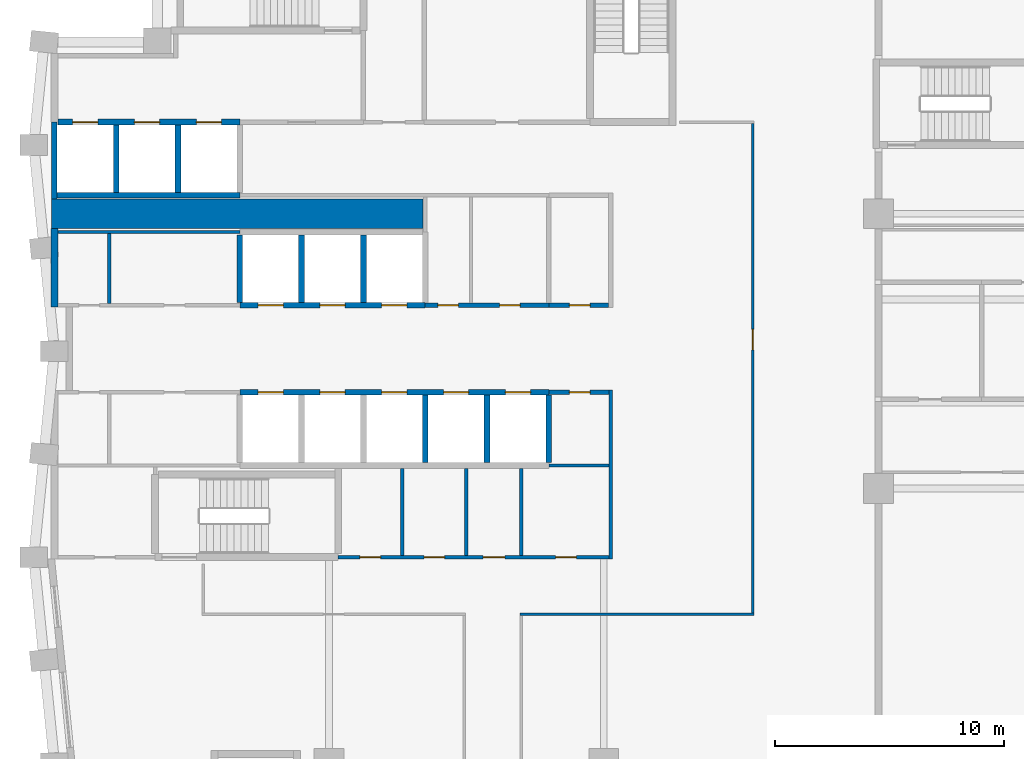
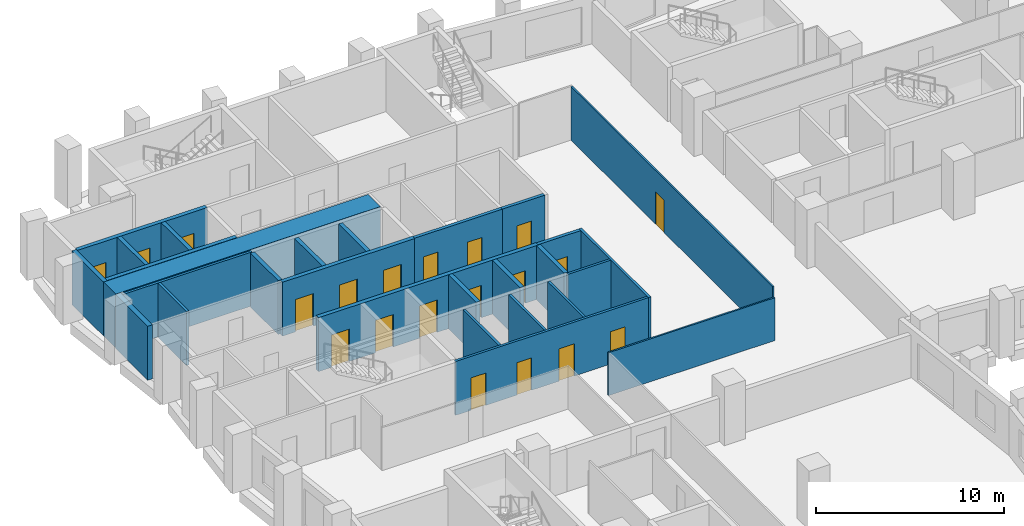
# One storey, part 5 of 11: 28 walls, 20 doors, 20 openings.
"""IFC4 building model written with IfcOpenShell, lengths in metres."""

from ifc_helpers import new_model, si_unit, direction, frame, frame_2d, origin, place, context, subcontext, project, spatial, rectangle, extrude, material, layer, layer_set, type_object, element, fill, save


model = new_model("IFC4")

# Units and contexts
model_context = context("Model", 3, precision=1e-05, world=origin(), true_north=direction((0.0, 1.0)))
body_context = subcontext(model_context, "Body", "Model", "MODEL_VIEW")
ifc_project = project(units=[si_unit("LENGTHUNIT", "METRE"), si_unit("AREAUNIT", "SQUARE_METRE"), si_unit("VOLUMEUNIT", "CUBIC_METRE"), si_unit("PLANEANGLEUNIT", "RADIAN"), si_unit("MASSUNIT", "GRAM", prefix="KILO")], contexts=[model_context])

# Site, building, storey
site_placement = place(None, origin())
site = spatial("IfcSite", under=ifc_project, at=site_placement, CompositionType="ELEMENT")
building_placement = place(site_placement, origin())
building = spatial("IfcBuilding", under=site, at=building_placement, Name="Brondeck Convention Tower", CompositionType="ELEMENT")
storey_placement = place(building_placement, frame((0.0, 0.0, 111.300048828125)))
storey = spatial("IfcBuildingStorey", under=building, at=storey_placement, Name="L26", CompositionType="ELEMENT", Elevation=111.300048828125)

# Wall, openings, doors
ifc_material_1 = material(Name="Concrete C70/85", Category="concrete")
ifc_layer_1 = layer(ifc_material_1, 0.14990234375)
ifc_layer_set_1 = layer_set([ifc_layer_1], Name="Core beam-seat wall 150 Concrete C70/85")
wall_type_1 = type_object("IfcWallType", Name="Core beam-seat wall 150 Concrete C70/85", PredefinedType="SHEAR", material=ifc_layer_set_1)
wall_1_placement = place(storey_placement, frame((12.39990234375, 36.0, 0.0), z_axis=(0.0, 0.0, 1.0), x_axis=(1.0, 0.0, 0.0)))
wall_1 = element("IfcWall", 1, at=wall_1_placement, inside=storey, type_object=wall_type_1, Name="L26 core wall", PredefinedType="SHEAR", context=body_context, shape_type="SweptSolid", body=[
    extrude(rectangle(XDim=11.8251953125, YDim=0.14990234375, at=frame_2d((5.91259765625, 0.0))), origin(), (0.0, 0.0, 1.0), 3.5),
])
opening_1_placement = place(wall_1_placement, frame((0.949951171875, 0.0, 0.0)))
opening_1 = element("IfcOpeningElement", 2, at=opening_1_placement, cuts=wall_1, Name="Opening C16-03", PredefinedType="OPENING", context=body_context, shape_type="SweptSolid", body=[
    extrude(rectangle(XDim=0.89990234375, YDim=2.10009765625, at=frame_2d((0.449951171875, 1.050048828125))), frame((0.0, 0.0849609375, 0.0), z_axis=(0.0, -1.0, 0.0), x_axis=(1.0, 0.0, 0.0)), (0.0, 0.0, 1.0), 0.169921875),
])
opening_2_placement = place(wall_1_placement, frame((3.75, 0.0, 0.0)))
opening_2 = element("IfcOpeningElement", 3, at=opening_2_placement, cuts=wall_1, Name="Opening C16-04", PredefinedType="OPENING", context=body_context, shape_type="SweptSolid", body=[
    extrude(rectangle(XDim=0.89990234375, YDim=2.10009765625, at=frame_2d((0.449951171875, 1.050048828125))), frame((0.0, 0.0849609375, 0.0), z_axis=(0.0, -1.0, 0.0), x_axis=(1.0, 0.0, 0.0)), (0.0, 0.0, 1.0), 0.169921875),
])
opening_3_placement = place(wall_1_placement, frame((6.324951171875, 0.0, 0.0)))
opening_3 = element("IfcOpeningElement", 4, at=opening_3_placement, cuts=wall_1, Name="Opening C16-05", PredefinedType="OPENING", context=body_context, shape_type="SweptSolid", body=[
    extrude(rectangle(XDim=0.949951171875, YDim=2.10009765625, at=frame_2d((0.47509765625, 1.050048828125))), frame((0.0, 0.0849609375, 0.0), z_axis=(0.0, -1.0, 0.0), x_axis=(1.0, 0.0, 0.0)), (0.0, 0.0, 1.0), 0.169921875),
])
opening_4_placement = place(wall_1_placement, frame((9.5, 0.0, 0.0)))
opening_4 = element("IfcOpeningElement", 5, at=opening_4_placement, cuts=wall_1, Name="Opening C16-06", PredefinedType="OPENING", context=body_context, shape_type="SweptSolid", body=[
    extrude(rectangle(XDim=0.89990234375, YDim=2.10009765625, at=frame_2d((0.449951171875, 1.050048828125))), frame((0.0, 0.0849609375, 0.0), z_axis=(0.0, -1.0, 0.0), x_axis=(1.0, 0.0, 0.0)), (0.0, 0.0, 1.0), 0.169921875),
])
ifc_material_2 = material(Name="Steel fire door", Category="steel")
door_type_1 = type_object("IfcDoorType", Name="Room door 900x2100 EI 60", OperationType="NOTDEFINED", PredefinedType="DOOR", material=ifc_material_2)
door_1_placement = place(opening_1_placement, origin())
door_1 = element("IfcDoor", 6, at=door_1_placement, inside=storey, type_object=door_type_1, Name="L26 Room door FR-1", OperationType="SINGLE_SWING_RIGHT", OverallHeight=2.10009765625, OverallWidth=0.89990234375, PredefinedType="DOOR", context=body_context, shape_type="SweptSolid", body=[
    extrude(rectangle(XDim=0.89990234375, YDim=2.10009765625, at=frame_2d((0.449951171875, 1.050048828125))), frame((0.0, 0.02490234375, 0.0), z_axis=(0.0, -1.0, 0.0), x_axis=(1.0, 0.0, 0.0)), (0.0, 0.0, 1.0), 0.050048828125),
])
fill(opening_1, door_1)
door_2_placement = place(opening_2_placement, origin())
door_2 = element("IfcDoor", 7, at=door_2_placement, inside=storey, type_object=door_type_1, Name="L26 Room door FR-2", OperationType="SINGLE_SWING_LEFT", OverallHeight=2.10009765625, OverallWidth=0.89990234375, PredefinedType="DOOR", context=body_context, shape_type="SweptSolid", body=[
    extrude(rectangle(XDim=0.89990234375, YDim=2.10009765625, at=frame_2d((0.449951171875, 1.050048828125))), frame((0.0, 0.02490234375, 0.0), z_axis=(0.0, -1.0, 0.0), x_axis=(1.0, 0.0, 0.0)), (0.0, 0.0, 1.0), 0.050048828125),
])
fill(opening_2, door_2)
door_3_placement = place(opening_4_placement, origin())
door_3 = element("IfcDoor", 8, at=door_3_placement, inside=storey, type_object=door_type_1, Name="L26 Room door FR-4", OperationType="SINGLE_SWING_LEFT", OverallHeight=2.10009765625, OverallWidth=0.89990234375, PredefinedType="DOOR", context=body_context, shape_type="SweptSolid", body=[
    extrude(rectangle(XDim=0.89990234375, YDim=2.10009765625, at=frame_2d((0.449951171875, 1.050048828125))), frame((0.0, 0.02490234375, 0.0), z_axis=(0.0, -1.0, 0.0), x_axis=(1.0, 0.0, 0.0)), (0.0, 0.0, 1.0), 0.050048828125),
])
fill(opening_4, door_3)
door_type_2 = type_object("IfcDoorType", Name="Room door 950x2100 EI 60", OperationType="NOTDEFINED", PredefinedType="DOOR", material=ifc_material_2)
door_4_placement = place(opening_3_placement, origin())
door_4 = element("IfcDoor", 9, at=door_4_placement, inside=storey, type_object=door_type_2, Name="L26 Room door FR-3", OperationType="SINGLE_SWING_RIGHT", OverallHeight=2.10009765625, OverallWidth=0.949951171875, PredefinedType="DOOR", context=body_context, shape_type="SweptSolid", body=[
    extrude(rectangle(XDim=0.949951171875, YDim=2.10009765625, at=frame_2d((0.47509765625, 1.050048828125))), frame((0.0, 0.02490234375, 0.0), z_axis=(0.0, -1.0, 0.0), x_axis=(1.0, 0.0, 0.0)), (0.0, 0.0, 1.0), 0.050048828125),
])
fill(opening_3, door_4)

# Walls
ifc_layer_2 = layer(ifc_material_1, 0.300048828125)
ifc_layer_set_2 = layer_set([ifc_layer_2], Name="Core outer wall 300 Concrete C70/85")
wall_type_2 = type_object("IfcWallType", Name="Core outer wall 300 Concrete C70/85", PredefinedType="SHEAR", material=ifc_layer_set_2)
wall_2_placement = place(storey_placement, frame((0.0, 46.925048828125, 0.0), z_axis=(0.0, 0.0, 1.0), x_axis=(0.0, 1.0, 0.0)))
element("IfcWall", 10, at=wall_2_placement, inside=storey, type_object=wall_type_2, Name="L26 core wall", PredefinedType="SHEAR", context=body_context, shape_type="SweptSolid", body=[
    extrude(rectangle(XDim=3.425048828125, YDim=0.300048828125, at=frame_2d((1.71240234375, 0.0))), origin(), (0.0, 0.0, 1.0), 3.5),
])
ifc_material_3 = material(Name="Fire-rated gypsum board partition")
ifc_layer_3 = layer(ifc_material_3, 0.14990234375)
ifc_layer_set_3 = layer_set([ifc_layer_3], Name="Core partition 150 EI 60")
wall_type_3 = type_object("IfcWallType", Name="Core partition 150 EI 60", PredefinedType="PARTITIONING", material=ifc_layer_set_3)
wall_3_placement = place(storey_placement, frame((21.60009765625, 40.0, 0.0), z_axis=(0.0, 0.0, 1.0), x_axis=(1.0, 0.0, 0.0)))
element("IfcWall", 11, at=wall_3_placement, inside=storey, type_object=wall_type_3, Name="L26 core wall", PredefinedType="PARTITIONING", context=body_context, shape_type="SweptSolid", body=[
    extrude(rectangle(XDim=2.625, YDim=0.14990234375, at=frame_2d((1.3125, 0.0))), origin(), (0.0, 0.0, 1.0), 3.5),
])
wall_4_placement = place(storey_placement, frame((0.14990234375, 50.199951171875, 0.0), z_axis=(0.0, 0.0, 1.0), x_axis=(1.0, 0.0, 0.0)))
element("IfcWall", 12, at=wall_4_placement, inside=storey, type_object=wall_type_3, Name="L26 core wall", PredefinedType="PARTITIONING", context=body_context, shape_type="SweptSolid", body=[
    extrude(rectangle(XDim=7.9501953125, YDim=0.14990234375, at=frame_2d((3.97509765625, 0.0))), origin(), (0.0, 0.0, 1.0), 3.5),
])
wall_5_placement = place(storey_placement, frame((2.39990234375, 47.074951171875, 0.0), z_axis=(0.0, 0.0, 1.0), x_axis=(0.0, 1.0, 0.0)))
element("IfcWall", 13, at=wall_5_placement, inside=storey, type_object=wall_type_3, Name="L26 core wall", PredefinedType="PARTITIONING", context=body_context, shape_type="SweptSolid", body=[
    extrude(rectangle(XDim=3.050048828125, YDim=0.14990234375, at=frame_2d((1.52490234375, 0.0))), origin(), (0.0, 0.0, 1.0), 3.5),
])
for number, where, z_axis, x_axis, name in (
    (14, (15.199951171875, 36.074951171875, 0.0), (0.0, 0.0, 1.0), (0.0, 1.0, 0.0), "L26 core wall"),
    (15, (18.0, 36.074951171875, 0.0), (0.0, 0.0, 1.0), (0.0, 1.0, 0.0), "L26 core wall"),
    (16, (20.39990234375, 36.074951171875, 0.0), (0.0, 0.0, 1.0), (0.0, 1.0, 0.0), "L26 core wall"),
):
    element("IfcWall", number, at=place(storey_placement, frame(where, z_axis=z_axis, x_axis=x_axis)), inside=storey, type_object=wall_type_3, Name=name, PredefinedType="PARTITIONING", context=body_context, shape_type="SweptSolid", body=[
        extrude(rectangle(XDim=3.800048828125, YDim=0.14990234375, at=frame_2d((1.89990234375, 0.0))), origin(), (0.0, 0.0, 1.0), 3.5),
    ])
wall_6_placement = place(storey_placement, frame((24.300048828125, 35.925048828125, 0.0), z_axis=(0.0, 0.0, 1.0), x_axis=(0.0, 1.0, 0.0)))
element("IfcWall", 17, at=wall_6_placement, inside=storey, type_object=wall_type_3, Name="L26 core wall", PredefinedType="PARTITIONING", context=body_context, shape_type="SweptSolid", body=[
    extrude(rectangle(XDim=7.375, YDim=0.14990234375, at=frame_2d((3.6875, 0.0))), origin(), (0.0, 0.0, 1.0), 3.5),
])
ifc_layer_4 = layer(ifc_material_1, 1.300048828125)
ifc_layer_set_4 = layer_set([ifc_layer_4], Name="Core shear wall 1300 Concrete C70/85")
wall_type_4 = type_object("IfcWallType", Name="Core shear wall 1300 Concrete C70/85", PredefinedType="SHEAR", material=ifc_layer_set_4)
wall_7_placement = place(storey_placement, frame((-0.125, 51.0, 0.0), z_axis=(0.0, 0.0, 1.0), x_axis=(1.0, 0.0, 0.0)))
element("IfcWall", 18, at=wall_7_placement, inside=storey, type_object=wall_type_4, Name="L26 core wall", PredefinedType="SHEAR", context=body_context, shape_type="SweptSolid", body=[
    extrude(rectangle(XDim=16.22509765625, YDim=1.300048828125, at=frame_2d((8.112548828125, 0.0))), origin(), (0.0, 0.0, 1.0), 3.5),
])

# Wall, opening, door
ifc_layer_5 = layer(ifc_material_3, 0.199951171875)
ifc_layer_set_5 = layer_set([ifc_layer_5], Name="Lift lobby wall 200 EI 60")
wall_type_5 = type_object("IfcWallType", Name="Lift lobby wall 200 EI 60", PredefinedType="PARTITIONING", material=ifc_layer_set_5)
wall_8_placement = place(storey_placement, frame((21.60009765625, 43.199951171875, 0.0), z_axis=(0.0, 0.0, 1.0), x_axis=(1.0, 0.0, 0.0)))
wall_8 = element("IfcWall", 19, at=wall_8_placement, inside=storey, type_object=wall_type_5, Name="L26 core wall", PredefinedType="PARTITIONING", context=body_context, shape_type="SweptSolid", body=[
    extrude(rectangle(XDim=2.625, YDim=0.199951171875, at=frame_2d((1.3125, 0.0))), origin(), (0.0, 0.0, 1.0), 3.5),
])
opening_5_placement = place(wall_8_placement, frame((0.89990234375, 0.0, 0.0)))
opening_5 = element("IfcOpeningElement", 20, at=opening_5_placement, cuts=wall_8, Name="Opening C16-14", PredefinedType="OPENING", context=body_context, shape_type="SweptSolid", body=[
    extrude(rectangle(XDim=0.89990234375, YDim=2.10009765625, at=frame_2d((0.449951171875, 1.050048828125))), frame((0.0, 0.10986328125, 0.0), z_axis=(0.0, -1.0, 0.0), x_axis=(1.0, 0.0, 0.0)), (0.0, 0.0, 1.0), 0.219970703125),
])
door_5_placement = place(opening_5_placement, origin())
door_5 = element("IfcDoor", 21, at=door_5_placement, inside=storey, type_object=door_type_1, Name="L26 Room door FZ-S-21.6-1", OperationType="SINGLE_SWING_RIGHT", OverallHeight=2.10009765625, OverallWidth=0.89990234375, PredefinedType="DOOR", context=body_context, shape_type="SweptSolid", body=[
    extrude(rectangle(XDim=0.89990234375, YDim=2.10009765625, at=frame_2d((0.449951171875, 1.050048828125))), frame((0.0, 0.02490234375, 0.0), z_axis=(0.0, -1.0, 0.0), x_axis=(1.0, 0.0, 0.0)), (0.0, 0.0, 1.0), 0.050048828125),
])
fill(opening_5, door_5)

# Wall, openings, doors
wall_9_placement = place(storey_placement, frame((16.199951171875, 47.0, 0.0), z_axis=(0.0, 0.0, 1.0), x_axis=(1.0, 0.0, 0.0)))
wall_9 = element("IfcWall", 22, at=wall_9_placement, inside=storey, type_object=wall_type_5, Name="L26 core wall", PredefinedType="PARTITIONING", context=body_context, shape_type="SweptSolid", body=[
    extrude(rectangle(XDim=5.400146484375, YDim=0.199951171875, at=frame_2d((2.7001953125, 0.0))), origin(), (0.0, 0.0, 1.0), 3.5),
])
opening_6_placement = place(wall_9_placement, frame((0.550048828125, 0.0, 0.0)))
opening_6 = element("IfcOpeningElement", 23, at=opening_6_placement, cuts=wall_9, Name="Opening C16-10", PredefinedType="OPENING", context=body_context, shape_type="SweptSolid", body=[
    extrude(rectangle(XDim=0.89990234375, YDim=2.10009765625, at=frame_2d((0.449951171875, 1.050048828125))), frame((0.0, 0.10986328125, 0.0), z_axis=(0.0, -1.0, 0.0), x_axis=(1.0, 0.0, 0.0)), (0.0, 0.0, 1.0), 0.219970703125),
])
opening_7_placement = place(wall_9_placement, frame((3.25, 0.0, 0.0)))
opening_7 = element("IfcOpeningElement", 24, at=opening_7_placement, cuts=wall_9, Name="Opening C16-11", PredefinedType="OPENING", context=body_context, shape_type="SweptSolid", body=[
    extrude(rectangle(XDim=0.89990234375, YDim=2.10009765625, at=frame_2d((0.449951171875, 1.050048828125))), frame((0.0, 0.10986328125, 0.0), z_axis=(0.0, -1.0, 0.0), x_axis=(1.0, 0.0, 0.0)), (0.0, 0.0, 1.0), 0.219970703125),
])
door_6_placement = place(opening_6_placement, origin())
door_6 = element("IfcDoor", 25, at=door_6_placement, inside=storey, type_object=door_type_1, Name="L26 Room door FZ-N-16.2-1", OperationType="SINGLE_SWING_LEFT", OverallHeight=2.10009765625, OverallWidth=0.89990234375, PredefinedType="DOOR", context=body_context, shape_type="SweptSolid", body=[
    extrude(rectangle(XDim=0.89990234375, YDim=2.10009765625, at=frame_2d((0.449951171875, 1.050048828125))), frame((0.0, 0.02490234375, 0.0), z_axis=(0.0, -1.0, 0.0), x_axis=(1.0, 0.0, 0.0)), (0.0, 0.0, 1.0), 0.050048828125),
])
fill(opening_6, door_6)
door_7_placement = place(opening_7_placement, origin())
door_7 = element("IfcDoor", 26, at=door_7_placement, inside=storey, type_object=door_type_1, Name="L26 Room door FZ-N-16.2-2", OperationType="SINGLE_SWING_RIGHT", OverallHeight=2.10009765625, OverallWidth=0.89990234375, PredefinedType="DOOR", context=body_context, shape_type="SweptSolid", body=[
    extrude(rectangle(XDim=0.89990234375, YDim=2.10009765625, at=frame_2d((0.449951171875, 1.050048828125))), frame((0.0, 0.02490234375, 0.0), z_axis=(0.0, -1.0, 0.0), x_axis=(1.0, 0.0, 0.0)), (0.0, 0.0, 1.0), 0.050048828125),
])
fill(opening_7, door_7)

ifc_layer_6 = layer(ifc_material_1, 0.25)
ifc_layer_set_6 = layer_set([ifc_layer_6], Name="Lift shaft wall 250 Concrete C70/85")
wall_type_6 = type_object("IfcWallType", Name="Lift shaft wall 250 Concrete C70/85", PredefinedType="SHEAR", material=ifc_layer_set_6)
wall_10_placement = place(storey_placement, frame((8.10009765625, 43.199951171875, 0.0), z_axis=(0.0, 0.0, 1.0), x_axis=(1.0, 0.0, 0.0)))
wall_10 = element("IfcWall", 27, at=wall_10_placement, inside=storey, type_object=wall_type_6, Name="L26 core wall", PredefinedType="SHEAR", context=body_context, shape_type="SweptSolid", body=[
    extrude(rectangle(XDim=13.5, YDim=0.25, at=frame_2d((6.75, 0.0))), origin(), (0.0, 0.0, 1.0), 3.5),
])
opening_8_placement = place(wall_10_placement, frame((0.800048828125, 0.0, 0.0)))
opening_8 = element("IfcOpeningElement", 28, at=opening_8_placement, cuts=wall_10, Name="Opening C16-27", PredefinedType="OPENING", context=body_context, shape_type="SweptSolid", body=[
    extrude(rectangle(XDim=1.10009765625, YDim=2.10009765625, at=frame_2d((0.550048828125, 1.050048828125))), frame((0.0, 0.135009765625, 0.0), z_axis=(0.0, -1.0, 0.0), x_axis=(1.0, 0.0, 0.0)), (0.0, 0.0, 1.0), 0.27001953125),
])
opening_9_placement = place(wall_10_placement, frame((3.5, 0.0, 0.0)))
opening_9 = element("IfcOpeningElement", 29, at=opening_9_placement, cuts=wall_10, Name="Opening C16-28", PredefinedType="OPENING", context=body_context, shape_type="SweptSolid", body=[
    extrude(rectangle(XDim=1.10009765625, YDim=2.10009765625, at=frame_2d((0.550048828125, 1.050048828125))), frame((0.0, 0.135009765625, 0.0), z_axis=(0.0, -1.0, 0.0), x_axis=(1.0, 0.0, 0.0)), (0.0, 0.0, 1.0), 0.27001953125),
])
opening_10_placement = place(wall_10_placement, frame((6.199951171875, 0.0, 0.0)))
opening_10 = element("IfcOpeningElement", 30, at=opening_10_placement, cuts=wall_10, Name="Opening C16-29", PredefinedType="OPENING", context=body_context, shape_type="SweptSolid", body=[
    extrude(rectangle(XDim=1.10009765625, YDim=2.10009765625, at=frame_2d((0.550048828125, 1.050048828125))), frame((0.0, 0.135009765625, 0.0), z_axis=(0.0, -1.0, 0.0), x_axis=(1.0, 0.0, 0.0)), (0.0, 0.0, 1.0), 0.27001953125),
])
opening_11_placement = place(wall_10_placement, frame((8.89990234375, 0.0, 0.0)))
opening_11 = element("IfcOpeningElement", 31, at=opening_11_placement, cuts=wall_10, Name="Opening C16-33", PredefinedType="OPENING", context=body_context, shape_type="SweptSolid", body=[
    extrude(rectangle(XDim=1.10009765625, YDim=2.10009765625, at=frame_2d((0.550048828125, 1.050048828125))), frame((0.0, 0.135009765625, 0.0), z_axis=(0.0, -1.0, 0.0), x_axis=(1.0, 0.0, 0.0)), (0.0, 0.0, 1.0), 0.27001953125),
])
opening_12_placement = place(wall_10_placement, frame((11.60009765625, 0.0, 0.0)))
opening_12 = element("IfcOpeningElement", 32, at=opening_12_placement, cuts=wall_10, Name="Opening C16-34", PredefinedType="OPENING", context=body_context, shape_type="SweptSolid", body=[
    extrude(rectangle(XDim=1.10009765625, YDim=2.10009765625, at=frame_2d((0.550048828125, 1.050048828125))), frame((0.0, 0.135009765625, 0.0), z_axis=(0.0, -1.0, 0.0), x_axis=(1.0, 0.0, 0.0)), (0.0, 0.0, 1.0), 0.27001953125),
])
ifc_material_4 = material(Name="Stainless steel lift door", Category="steel")
door_type_3 = type_object("IfcDoorType", Name="Lift landing door 1100x2100 EI 180", OperationType="DOUBLE_DOOR_SLIDING", PredefinedType="DOOR", material=ifc_material_4)
door_8_placement = place(opening_8_placement, origin())
door_8 = element("IfcDoor", 33, at=door_8_placement, inside=storey, type_object=door_type_3, Name="L26 Lift landing door LR1", OperationType="DOUBLE_DOOR_SLIDING", OverallHeight=2.10009765625, OverallWidth=1.10009765625, PredefinedType="DOOR", context=body_context, shape_type="SweptSolid", body=[
    extrude(rectangle(XDim=1.10009765625, YDim=2.10009765625, at=frame_2d((0.550048828125, 1.050048828125))), frame((0.0, 0.02490234375, 0.0), z_axis=(0.0, -1.0, 0.0), x_axis=(1.0, 0.0, 0.0)), (0.0, 0.0, 1.0), 0.050048828125),
])
fill(opening_8, door_8)
door_9_placement = place(opening_9_placement, origin())
door_9 = element("IfcDoor", 34, at=door_9_placement, inside=storey, type_object=door_type_3, Name="L26 Lift landing door LR2", OperationType="DOUBLE_DOOR_SLIDING", OverallHeight=2.10009765625, OverallWidth=1.10009765625, PredefinedType="DOOR", context=body_context, shape_type="SweptSolid", body=[
    extrude(rectangle(XDim=1.10009765625, YDim=2.10009765625, at=frame_2d((0.550048828125, 1.050048828125))), frame((0.0, 0.02490234375, 0.0), z_axis=(0.0, -1.0, 0.0), x_axis=(1.0, 0.0, 0.0)), (0.0, 0.0, 1.0), 0.050048828125),
])
fill(opening_9, door_9)
door_10_placement = place(opening_10_placement, origin())
door_10 = element("IfcDoor", 35, at=door_10_placement, inside=storey, type_object=door_type_3, Name="L26 Lift landing door LR3", OperationType="DOUBLE_DOOR_SLIDING", OverallHeight=2.10009765625, OverallWidth=1.10009765625, PredefinedType="DOOR", context=body_context, shape_type="SweptSolid", body=[
    extrude(rectangle(XDim=1.10009765625, YDim=2.10009765625, at=frame_2d((0.550048828125, 1.050048828125))), frame((0.0, 0.02490234375, 0.0), z_axis=(0.0, -1.0, 0.0), x_axis=(1.0, 0.0, 0.0)), (0.0, 0.0, 1.0), 0.050048828125),
])
fill(opening_10, door_10)
door_11_placement = place(opening_11_placement, origin())
door_11 = element("IfcDoor", 36, at=door_11_placement, inside=storey, type_object=door_type_3, Name="L26 Lift landing door SH1", OperationType="DOUBLE_DOOR_SLIDING", OverallHeight=2.10009765625, OverallWidth=1.10009765625, PredefinedType="DOOR", context=body_context, shape_type="SweptSolid", body=[
    extrude(rectangle(XDim=1.10009765625, YDim=2.10009765625, at=frame_2d((0.550048828125, 1.050048828125))), frame((0.0, 0.02490234375, 0.0), z_axis=(0.0, -1.0, 0.0), x_axis=(1.0, 0.0, 0.0)), (0.0, 0.0, 1.0), 0.050048828125),
])
fill(opening_11, door_11)
door_12_placement = place(opening_12_placement, origin())
door_12 = element("IfcDoor", 37, at=door_12_placement, inside=storey, type_object=door_type_3, Name="L26 Lift landing door SH2", OperationType="DOUBLE_DOOR_SLIDING", OverallHeight=2.10009765625, OverallWidth=1.10009765625, PredefinedType="DOOR", context=body_context, shape_type="SweptSolid", body=[
    extrude(rectangle(XDim=1.10009765625, YDim=2.10009765625, at=frame_2d((0.550048828125, 1.050048828125))), frame((0.0, 0.02490234375, 0.0), z_axis=(0.0, -1.0, 0.0), x_axis=(1.0, 0.0, 0.0)), (0.0, 0.0, 1.0), 0.050048828125),
])
fill(opening_12, door_12)

wall_11_placement = place(storey_placement, frame((8.10009765625, 47.0, 0.0), z_axis=(0.0, 0.0, 1.0), x_axis=(1.0, 0.0, 0.0)))
wall_11 = element("IfcWall", 38, at=wall_11_placement, inside=storey, type_object=wall_type_6, Name="L26 core wall", PredefinedType="SHEAR", context=body_context, shape_type="SweptSolid", body=[
    extrude(rectangle(XDim=8.099853515625, YDim=0.25, at=frame_2d((4.0498046875, 0.0))), origin(), (0.0, 0.0, 1.0), 3.5),
])
opening_13_placement = place(wall_11_placement, frame((0.800048828125, 0.0, 0.0)))
opening_13 = element("IfcOpeningElement", 39, at=opening_13_placement, cuts=wall_11, Name="Opening C16-30", PredefinedType="OPENING", context=body_context, shape_type="SweptSolid", body=[
    extrude(rectangle(XDim=1.10009765625, YDim=2.10009765625, at=frame_2d((0.550048828125, 1.050048828125))), frame((0.0, 0.135009765625, 0.0), z_axis=(0.0, -1.0, 0.0), x_axis=(1.0, 0.0, 0.0)), (0.0, 0.0, 1.0), 0.27001953125),
])
opening_14_placement = place(wall_11_placement, frame((3.5, 0.0, 0.0)))
opening_14 = element("IfcOpeningElement", 40, at=opening_14_placement, cuts=wall_11, Name="Opening C16-31", PredefinedType="OPENING", context=body_context, shape_type="SweptSolid", body=[
    extrude(rectangle(XDim=1.10009765625, YDim=2.10009765625, at=frame_2d((0.550048828125, 1.050048828125))), frame((0.0, 0.135009765625, 0.0), z_axis=(0.0, -1.0, 0.0), x_axis=(1.0, 0.0, 0.0)), (0.0, 0.0, 1.0), 0.27001953125),
])
opening_15_placement = place(wall_11_placement, frame((6.199951171875, 0.0, 0.0)))
opening_15 = element("IfcOpeningElement", 41, at=opening_15_placement, cuts=wall_11, Name="Opening C16-32", PredefinedType="OPENING", context=body_context, shape_type="SweptSolid", body=[
    extrude(rectangle(XDim=1.10009765625, YDim=2.10009765625, at=frame_2d((0.550048828125, 1.050048828125))), frame((0.0, 0.135009765625, 0.0), z_axis=(0.0, -1.0, 0.0), x_axis=(1.0, 0.0, 0.0)), (0.0, 0.0, 1.0), 0.27001953125),
])
door_13_placement = place(opening_13_placement, origin())
door_13 = element("IfcDoor", 42, at=door_13_placement, inside=storey, type_object=door_type_3, Name="L26 Lift landing door LR4", OperationType="DOUBLE_DOOR_SLIDING", OverallHeight=2.10009765625, OverallWidth=1.10009765625, PredefinedType="DOOR", context=body_context, shape_type="SweptSolid", body=[
    extrude(rectangle(XDim=1.10009765625, YDim=2.10009765625, at=frame_2d((0.550048828125, 1.050048828125))), frame((0.0, 0.02490234375, 0.0), z_axis=(0.0, -1.0, 0.0), x_axis=(1.0, 0.0, 0.0)), (0.0, 0.0, 1.0), 0.050048828125),
])
fill(opening_13, door_13)
door_14_placement = place(opening_14_placement, origin())
door_14 = element("IfcDoor", 43, at=door_14_placement, inside=storey, type_object=door_type_3, Name="L26 Lift landing door LR5", OperationType="DOUBLE_DOOR_SLIDING", OverallHeight=2.10009765625, OverallWidth=1.10009765625, PredefinedType="DOOR", context=body_context, shape_type="SweptSolid", body=[
    extrude(rectangle(XDim=1.10009765625, YDim=2.10009765625, at=frame_2d((0.550048828125, 1.050048828125))), frame((0.0, 0.02490234375, 0.0), z_axis=(0.0, -1.0, 0.0), x_axis=(1.0, 0.0, 0.0)), (0.0, 0.0, 1.0), 0.050048828125),
])
fill(opening_14, door_14)
door_15_placement = place(opening_15_placement, origin())
door_15 = element("IfcDoor", 44, at=door_15_placement, inside=storey, type_object=door_type_3, Name="L26 Lift landing door LR6", OperationType="DOUBLE_DOOR_SLIDING", OverallHeight=2.10009765625, OverallWidth=1.10009765625, PredefinedType="DOOR", context=body_context, shape_type="SweptSolid", body=[
    extrude(rectangle(XDim=1.10009765625, YDim=2.10009765625, at=frame_2d((0.550048828125, 1.050048828125))), frame((0.0, 0.02490234375, 0.0), z_axis=(0.0, -1.0, 0.0), x_axis=(1.0, 0.0, 0.0)), (0.0, 0.0, 1.0), 0.050048828125),
])
fill(opening_15, door_15)

# Wall
wall_12_placement = place(storey_placement, frame((0.125, 51.800048828125, 0.0), z_axis=(0.0, 0.0, 1.0), x_axis=(1.0, 0.0, 0.0)))
element("IfcWall", 45, at=wall_12_placement, inside=storey, type_object=wall_type_6, Name="L26 core wall", PredefinedType="SHEAR", context=body_context, shape_type="SweptSolid", body=[
    extrude(rectangle(XDim=7.97509765625, YDim=0.25, at=frame_2d((3.987548828125, 0.0))), origin(), (0.0, 0.0, 1.0), 3.5),
])

# Wall, openings, doors
wall_13_placement = place(storey_placement, frame((0.14990234375, 55.0, 0.0), z_axis=(0.0, 0.0, 1.0), x_axis=(1.0, 0.0, 0.0)))
wall_13 = element("IfcWall", 46, at=wall_13_placement, inside=storey, type_object=wall_type_6, Name="L26 core wall", PredefinedType="SHEAR", context=body_context, shape_type="SweptSolid", body=[
    extrude(rectangle(XDim=7.9501953125, YDim=0.25, at=frame_2d((3.97509765625, 0.0))), origin(), (0.0, 0.0, 1.0), 3.5),
])
opening_16_placement = place(wall_13_placement, frame((0.64990234375, 0.0, 0.0)))
opening_16 = element("IfcOpeningElement", 47, at=opening_16_placement, cuts=wall_13, Name="Opening C16-24", PredefinedType="OPENING", context=body_context, shape_type="SweptSolid", body=[
    extrude(rectangle(XDim=1.10009765625, YDim=2.10009765625, at=frame_2d((0.550048828125, 1.050048828125))), frame((0.0, 0.135009765625, 0.0), z_axis=(0.0, -1.0, 0.0), x_axis=(1.0, 0.0, 0.0)), (0.0, 0.0, 1.0), 0.27001953125),
])
opening_17_placement = place(wall_13_placement, frame((3.35009765625, 0.0, 0.0)))
opening_17 = element("IfcOpeningElement", 48, at=opening_17_placement, cuts=wall_13, Name="Opening C16-25", PredefinedType="OPENING", context=body_context, shape_type="SweptSolid", body=[
    extrude(rectangle(XDim=1.10009765625, YDim=2.10009765625, at=frame_2d((0.550048828125, 1.050048828125))), frame((0.0, 0.135009765625, 0.0), z_axis=(0.0, -1.0, 0.0), x_axis=(1.0, 0.0, 0.0)), (0.0, 0.0, 1.0), 0.27001953125),
])
opening_18_placement = place(wall_13_placement, frame((6.050048828125, 0.0, 0.0)))
opening_18 = element("IfcOpeningElement", 49, at=opening_18_placement, cuts=wall_13, Name="Opening C16-26", PredefinedType="OPENING", context=body_context, shape_type="SweptSolid", body=[
    extrude(rectangle(XDim=1.10009765625, YDim=2.10009765625, at=frame_2d((0.550048828125, 1.050048828125))), frame((0.0, 0.135009765625, 0.0), z_axis=(0.0, -1.0, 0.0), x_axis=(1.0, 0.0, 0.0)), (0.0, 0.0, 1.0), 0.27001953125),
])
door_16_placement = place(opening_16_placement, origin())
door_16 = element("IfcDoor", 50, at=door_16_placement, inside=storey, type_object=door_type_3, Name="L26 Lift landing door FF1", OperationType="DOUBLE_DOOR_SLIDING", OverallHeight=2.10009765625, OverallWidth=1.10009765625, PredefinedType="DOOR", context=body_context, shape_type="SweptSolid", body=[
    extrude(rectangle(XDim=1.10009765625, YDim=2.10009765625, at=frame_2d((0.550048828125, 1.050048828125))), frame((0.0, 0.02490234375, 0.0), z_axis=(0.0, -1.0, 0.0), x_axis=(1.0, 0.0, 0.0)), (0.0, 0.0, 1.0), 0.050048828125),
])
fill(opening_16, door_16)
door_17_placement = place(opening_17_placement, origin())
door_17 = element("IfcDoor", 51, at=door_17_placement, inside=storey, type_object=door_type_3, Name="L26 Lift landing door FF2", OperationType="DOUBLE_DOOR_SLIDING", OverallHeight=2.10009765625, OverallWidth=1.10009765625, PredefinedType="DOOR", context=body_context, shape_type="SweptSolid", body=[
    extrude(rectangle(XDim=1.10009765625, YDim=2.10009765625, at=frame_2d((0.550048828125, 1.050048828125))), frame((0.0, 0.02490234375, 0.0), z_axis=(0.0, -1.0, 0.0), x_axis=(1.0, 0.0, 0.0)), (0.0, 0.0, 1.0), 0.050048828125),
])
fill(opening_17, door_17)
door_18_placement = place(opening_18_placement, origin())
door_18 = element("IfcDoor", 52, at=door_18_placement, inside=storey, type_object=door_type_3, Name="L26 Lift landing door FF3", OperationType="DOUBLE_DOOR_SLIDING", OverallHeight=2.10009765625, OverallWidth=1.10009765625, PredefinedType="DOOR", context=body_context, shape_type="SweptSolid", body=[
    extrude(rectangle(XDim=1.10009765625, YDim=2.10009765625, at=frame_2d((0.550048828125, 1.050048828125))), frame((0.0, 0.02490234375, 0.0), z_axis=(0.0, -1.0, 0.0), x_axis=(1.0, 0.0, 0.0)), (0.0, 0.0, 1.0), 0.050048828125),
])
fill(opening_18, door_18)

# Walls
wall_14_placement = place(storey_placement, frame((0.0, 51.64990234375, 0.0), z_axis=(0.0, 0.0, 1.0), x_axis=(0.0, 1.0, 0.0)))
element("IfcWall", 53, at=wall_14_placement, inside=storey, type_object=wall_type_6, Name="L26 core wall", PredefinedType="SHEAR", context=body_context, shape_type="SweptSolid", body=[
    extrude(rectangle(XDim=3.35009765625, YDim=0.25, at=frame_2d((1.675048828125, 0.0))), origin(), (0.0, 0.0, 1.0), 3.5),
])
for number, where, z_axis, x_axis, name in (
    (54, (2.699951171875, 51.925048828125, 0.0), (0.0, 0.0, 1.0), (0.0, 1.0, 0.0), "L26 core wall"),
    (55, (5.39990234375, 51.925048828125, 0.0), (0.0, 0.0, 1.0), (0.0, 1.0, 0.0), "L26 core wall"),
    (56, (8.10009765625, 47.125, 0.0), (0.0, 0.0, 1.0), (0.0, 1.0, 0.0), "L26 core wall"),
    (57, (10.800048828125, 47.125, 0.0), (0.0, 0.0, 1.0), (0.0, 1.0, 0.0), "L26 core wall"),
    (58, (13.5, 47.125, 0.0), (0.0, 0.0, 1.0), (0.0, 1.0, 0.0), "L26 core wall"),
    (59, (16.199951171875, 40.125, 0.0), (0.0, 0.0, 1.0), (0.0, 1.0, 0.0), "L26 core wall"),
    (60, (18.89990234375, 40.125, 0.0), (0.0, 0.0, 1.0), (0.0, 1.0, 0.0), "L26 core wall"),
    (61, (21.60009765625, 40.125, 0.0), (0.0, 0.0, 1.0), (0.0, 1.0, 0.0), "L26 core wall"),
):
    element("IfcWall", number, at=place(storey_placement, frame(where, z_axis=z_axis, x_axis=x_axis)), inside=storey, type_object=wall_type_6, Name=name, PredefinedType="SHEAR", context=body_context, shape_type="SweptSolid", body=[
        extrude(rectangle(XDim=2.949951171875, YDim=0.25, at=frame_2d((1.47509765625, 0.0))), origin(), (0.0, 0.0, 1.0), 3.5),
    ])

# Wall, opening, door
ifc_layer_7 = layer(ifc_material_3, 0.199951171875)
ifc_layer_set_7 = layer_set([ifc_layer_7], Name="Riser wall 200 EI 120")
wall_type_7 = type_object("IfcWallType", Name="Riser wall 200 EI 120", PredefinedType="PARTITIONING", material=ifc_layer_set_7)
wall_15_placement = place(storey_placement, frame((21.60009765625, 47.0, 0.0), z_axis=(0.0, 0.0, 1.0), x_axis=(1.0, 0.0, 0.0)))
wall_15 = element("IfcWall", 62, at=wall_15_placement, inside=storey, type_object=wall_type_7, Name="L26 core wall", PredefinedType="PARTITIONING", context=body_context, shape_type="SweptSolid", body=[
    extrude(rectangle(XDim=2.599853515625, YDim=0.199951171875, at=frame_2d((1.2998046875, 0.0))), origin(), (0.0, 0.0, 1.0), 3.5),
])
opening_19_placement = place(wall_15_placement, frame((0.89990234375, 0.0, 0.0)))
opening_19 = element("IfcOpeningElement", 63, at=opening_19_placement, cuts=wall_15, Name="Opening C16-02", PredefinedType="OPENING", context=body_context, shape_type="SweptSolid", body=[
    extrude(rectangle(XDim=0.89990234375, YDim=2.10009765625, at=frame_2d((0.449951171875, 1.050048828125))), frame((0.0, 0.10986328125, 0.0), z_axis=(0.0, -1.0, 0.0), x_axis=(1.0, 0.0, 0.0)), (0.0, 0.0, 1.0), 0.219970703125),
])
door_type_4 = type_object("IfcDoorType", Name="Riser door 900x2100 EI 120", OperationType="NOTDEFINED", PredefinedType="DOOR", material=ifc_material_2)
door_19_placement = place(opening_19_placement, origin())
door_19 = element("IfcDoor", 64, at=door_19_placement, inside=storey, type_object=door_type_4, Name="L26 Riser door EN-1", OperationType="SINGLE_SWING_LEFT", OverallHeight=2.10009765625, OverallWidth=0.89990234375, PredefinedType="DOOR", context=body_context, shape_type="SweptSolid", body=[
    extrude(rectangle(XDim=0.89990234375, YDim=2.10009765625, at=frame_2d((0.449951171875, 1.050048828125))), frame((0.0, 0.02490234375, 0.0), z_axis=(0.0, -1.0, 0.0), x_axis=(1.0, 0.0, 0.0)), (0.0, 0.0, 1.0), 0.050048828125),
])
fill(opening_19, door_19)

# Wall
ifc_material_5 = material(Name="Gypsum board partition on steel studs", Category="steel")
ifc_layer_8 = layer(ifc_material_5, 0.10009765625)
ifc_layer_set_8 = layer_set([ifc_layer_8], Name="Room partition 100")
wall_type_8 = type_object("IfcWallType", Name="Room partition 100", PredefinedType="PARTITIONING", material=ifc_layer_set_8)
wall_16_placement = place(storey_placement, frame((30.550048828125, 33.5, 0.0), z_axis=(0.0, 0.0, 1.0), x_axis=(-1.0, 0.0, 0.0)))
element("IfcWall", 65, at=wall_16_placement, inside=storey, type_object=wall_type_8, Name="FLR-L26-W022", PredefinedType="PARTITIONING", context=body_context, shape_type="SweptSolid", body=[
    extrude(rectangle(XDim=10.199951171875, YDim=0.10009765625, at=frame_2d((5.10009765625, 0.0))), origin(), (0.0, 0.0, 1.0), 2.780029296875),
])

# Wall, opening, door
wall_17_placement = place(storey_placement, frame((30.5, 54.949951171875, 0.0), z_axis=(0.0, 0.0, 1.0), x_axis=(0.0, -1.0, 0.0)))
wall_17 = element("IfcWall", 66, at=wall_17_placement, inside=storey, type_object=wall_type_8, Name="FLR-L26-W064", PredefinedType="PARTITIONING", context=body_context, shape_type="SweptSolid", body=[
    extrude(rectangle(XDim=21.39990234375, YDim=0.10009765625, at=frame_2d((10.699951171875, 0.0))), origin(), (0.0, 0.0, 1.0), 3.47998046875),
])
opening_20_placement = place(wall_17_placement, frame((9.0, 0.0, 0.0)))
opening_20 = element("IfcOpeningElement", 67, at=opening_20_placement, cuts=wall_17, Name="Opening OF-C-019", PredefinedType="OPENING", context=body_context, shape_type="SweptSolid", body=[
    extrude(rectangle(XDim=0.89990234375, YDim=2.10009765625, at=frame_2d((0.449951171875, 1.050048828125))), frame((0.0, 0.06005859375, 0.0), z_axis=(0.0, -1.0, 0.0), x_axis=(1.0, 0.0, 0.0)), (0.0, 0.0, 1.0), 0.1201171875),
])
ifc_material_6 = material(Name="Solid timber door leaf", Category="wood")
door_type_5 = type_object("IfcDoorType", Name="Single door 900", OperationType="NOTDEFINED", PredefinedType="DOOR", material=ifc_material_6)
door_20_placement = place(opening_20_placement, origin())
door_20 = element("IfcDoor", 68, at=door_20_placement, inside=storey, type_object=door_type_5, Name="Door OF-C-019", OperationType="SINGLE_SWING_LEFT", OverallHeight=2.10009765625, OverallWidth=0.89990234375, PredefinedType="DOOR", context=body_context, shape_type="SweptSolid", body=[
    extrude(rectangle(XDim=0.89990234375, YDim=2.10009765625, at=frame_2d((0.449951171875, 1.050048828125))), frame((0.0, 0.02490234375, 0.0), z_axis=(0.0, -1.0, 0.0), x_axis=(1.0, 0.0, 0.0)), (0.0, 0.0, 1.0), 0.050048828125),
])
fill(opening_20, door_20)

save(model, "model.ifc")
